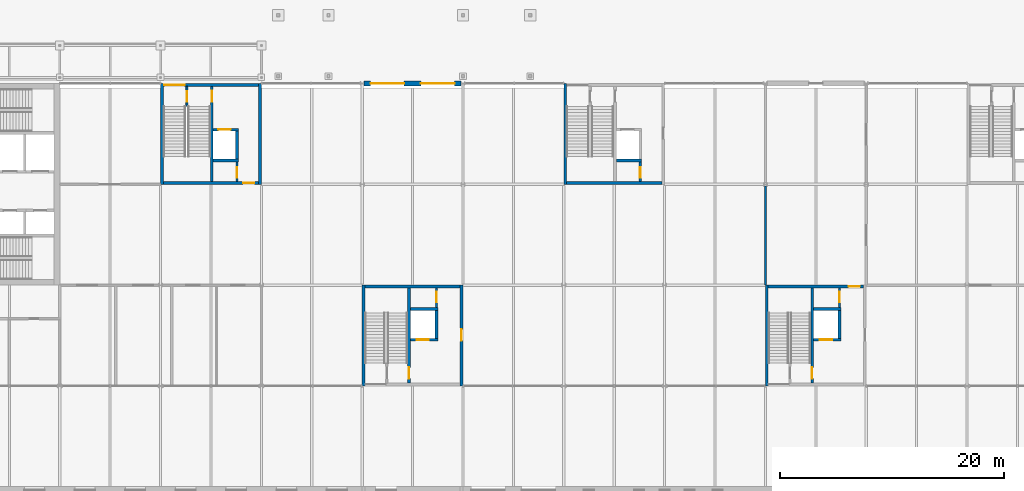
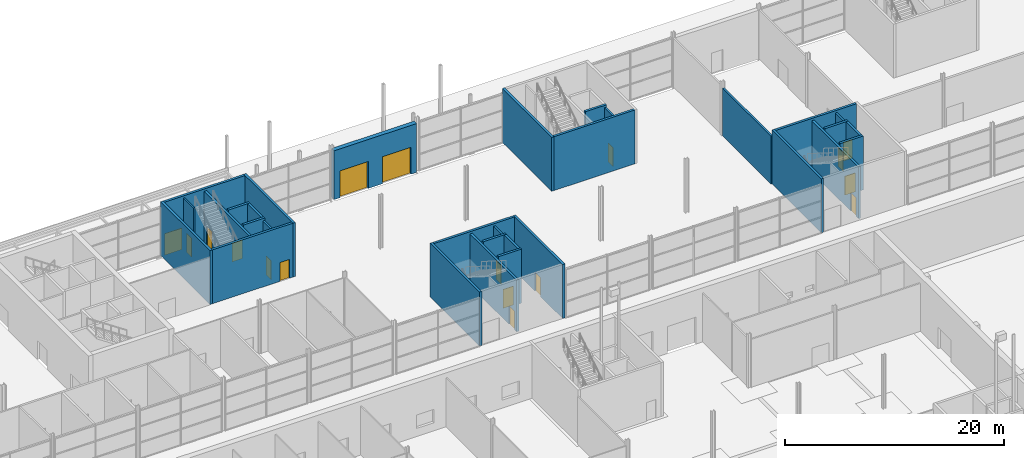
# One storey, part 72 of 97: 31 walls, 17 doors, 17 openings.
"""IFC4 building model written with IfcOpenShell, lengths in metres."""

from ifc_helpers import new_model, si_unit, direction, frame, frame_2d, origin, place, context, subcontext, project, spatial, rectangle, extrude, material, layer, layer_set, type_object, element, fill, save


model = new_model("IFC4")

# Units and contexts
model_context = context("Model", 3, precision=1e-05, world=origin(), true_north=direction((0.0, 1.0)))
body_context = subcontext(model_context, "Body", "Model", "MODEL_VIEW")
ifc_project = project(units=[si_unit("LENGTHUNIT", "METRE"), si_unit("AREAUNIT", "SQUARE_METRE"), si_unit("VOLUMEUNIT", "CUBIC_METRE"), si_unit("PLANEANGLEUNIT", "RADIAN"), si_unit("MASSUNIT", "GRAM", prefix="KILO")], contexts=[model_context])

# Site, building, storey
site_placement = place(None, origin())
site = spatial("IfcSite", under=ifc_project, at=site_placement, CompositionType="ELEMENT")
building_placement = place(site_placement, origin())
building = spatial("IfcBuilding", under=site, at=building_placement, Name="Corbel Yard City Hall", CompositionType="ELEMENT")
storey_placement = place(building_placement, origin())
storey = spatial("IfcBuildingStorey", under=building, at=storey_placement, Name="L00", CompositionType="ELEMENT", Elevation=0.0)

# Walls
ifc_material_1 = material(Name="Concrete N50 (50 MPa)", Category="concrete")
ifc_layer_1 = layer(ifc_material_1, 0.25)
ifc_layer_set_1 = layer_set([ifc_layer_1], Name="Concrete N50 (50 MPa)")
wall_type_1 = type_object("IfcWallType", Name="Core cell wall 250", PredefinedType="SHEAR", material=ifc_layer_set_1)
for number, where, z_axis, x_axis, name in (
    (1, (63.125, 108.0, 0.0), (0.0, 0.0, 1.0), (0.0, 1.0, 0.0), "Core PC-N1 west wall"),
    (2, (71.875, 108.0, 0.0), (0.0, 0.0, 1.0), (0.0, 1.0, 0.0), "Core PC-N1 east wall"),
):
    element("IfcWall", number, at=place(storey_placement, frame(where, z_axis=z_axis, x_axis=x_axis)), inside=storey, type_object=wall_type_1, Name=name, PredefinedType="SHEAR", context=body_context, shape_type="SweptSolid", body=[
        extrude(rectangle(XDim=9.0, YDim=0.25, at=frame_2d((4.5, 0.0))), origin(), (0.0, 0.0, 1.0), 6.0),
    ])

# Wall, opening, door
wall_1_placement = place(storey_placement, frame((63.25, 108.125, 0.0), z_axis=(0.0, 0.0, 1.0), x_axis=(1.0, 0.0, 0.0)))
wall_1 = element("IfcWall", 3, at=wall_1_placement, inside=storey, type_object=wall_type_1, Name="Core PC-N1 south wall", PredefinedType="SHEAR", context=body_context, shape_type="SweptSolid", body=[
    extrude(rectangle(XDim=8.5, YDim=0.25, at=frame_2d((4.25, 0.0))), origin(), (0.0, 0.0, 1.0), 6.0),
])
opening_1_placement = place(wall_1_placement, frame((7.125, 0.0, 0.0)))
opening_1 = element("IfcOpeningElement", 4, at=opening_1_placement, cuts=wall_1, Name="Opening L00-210", PredefinedType="OPENING", context=body_context, shape_type="SweptSolid", body=[
    extrude(rectangle(XDim=1.0, YDim=2.10009765625, at=frame_2d((0.5, 1.050048828125))), frame((0.0, 0.135009765625, 0.0), z_axis=(0.0, -1.0, 0.0), x_axis=(1.0, 0.0, 0.0)), (0.0, 0.0, 1.0), 0.27001953125),
])
ifc_material_2 = material(Name="Steel Grade G250", Category="steel")
door_type_1 = type_object("IfcDoorType", Name="FS1", OperationType="SINGLE_SWING_LEFT", PredefinedType="DOOR", material=ifc_material_2)
door_1_placement = place(opening_1_placement, origin())
door_1 = element("IfcDoor", 5, at=door_1_placement, inside=storey, type_object=door_type_1, Name="Door Lift Lobby", OperationType="SINGLE_SWING_RIGHT", OverallHeight=2.10009765625, OverallWidth=1.0, PredefinedType="DOOR", context=body_context, shape_type="SweptSolid", body=[
    extrude(rectangle(XDim=1.0, YDim=2.10009765625, at=frame_2d((0.5, 1.050048828125))), frame((0.0, 0.02490234375, 0.0), z_axis=(0.0, -1.0, 0.0), x_axis=(1.0, 0.0, 0.0)), (0.0, 0.0, 1.0), 0.050048828125),
])
fill(opening_1, door_1)

wall_2_placement = place(storey_placement, frame((63.25, 116.875, 0.0), z_axis=(0.0, 0.0, 1.0), x_axis=(1.0, 0.0, 0.0)))
wall_2 = element("IfcWall", 6, at=wall_2_placement, inside=storey, type_object=wall_type_1, Name="Core PC-N1 north wall", PredefinedType="SHEAR", context=body_context, shape_type="SweptSolid", body=[
    extrude(rectangle(XDim=8.5, YDim=0.25, at=frame_2d((4.25, 0.0))), origin(), (0.0, 0.0, 1.0), 6.0),
])
opening_2_placement = place(wall_2_placement, frame((0.10009765625, 0.0, 0.0)))
opening_2 = element("IfcOpeningElement", 7, at=opening_2_placement, cuts=wall_2, Name="Opening L00-045", PredefinedType="OPENING", context=body_context, shape_type="SweptSolid", body=[
    extrude(rectangle(XDim=1.800048828125, YDim=2.39990234375, at=frame_2d((0.89990234375, 1.199951171875))), frame((0.0, 0.135009765625, 0.0), z_axis=(0.0, -1.0, 0.0), x_axis=(1.0, 0.0, 0.0)), (0.0, 0.0, 1.0), 0.27001953125),
])
ifc_material_3 = material(Name="Steel Grade G250, insulated infill", Category="steel")
door_type_2 = type_object("IfcDoorType", Name="XD2", OperationType="DOUBLE_DOOR_SINGLE_SWING", PredefinedType="DOOR", material=ifc_material_3)
door_2_placement = place(opening_2_placement, origin())
door_2 = element("IfcDoor", 8, at=door_2_placement, inside=storey, type_object=door_type_2, Name="Stair exit door PC-N1", OperationType="DOUBLE_DOOR_SINGLE_SWING", OverallHeight=2.39990234375, OverallWidth=1.800048828125, PredefinedType="DOOR", context=body_context, shape_type="SweptSolid", body=[
    extrude(rectangle(XDim=1.800048828125, YDim=2.39990234375, at=frame_2d((0.89990234375, 1.199951171875))), frame((0.0, 0.02490234375, 0.0), z_axis=(0.0, -1.0, 0.0), x_axis=(1.0, 0.0, 0.0)), (0.0, 0.0, 1.0), 0.050048828125),
])
fill(opening_2, door_2)

# Walls
wall_3_placement = place(storey_placement, frame((99.125, 108.0, 0.0), z_axis=(0.0, 0.0, 1.0), x_axis=(0.0, 1.0, 0.0)))
element("IfcWall", 9, at=wall_3_placement, inside=storey, type_object=wall_type_1, Name="Core PC-N2 west wall", PredefinedType="SHEAR", context=body_context, shape_type="SweptSolid", body=[
    extrude(rectangle(XDim=9.0, YDim=0.25, at=frame_2d((4.5, 0.0))), origin(), (0.0, 0.0, 1.0), 6.0),
])
wall_4_placement = place(storey_placement, frame((99.25, 108.125, 0.0), z_axis=(0.0, 0.0, 1.0), x_axis=(1.0, 0.0, 0.0)))
element("IfcWall", 10, at=wall_4_placement, inside=storey, type_object=wall_type_1, Name="Core PC-N2 south wall", PredefinedType="SHEAR", context=body_context, shape_type="SweptSolid", body=[
    extrude(rectangle(XDim=8.5, YDim=0.25, at=frame_2d((4.25, 0.0))), origin(), (0.0, 0.0, 1.0), 6.0),
])
wall_5_placement = place(storey_placement, frame((81.125, 90.0, 0.0), z_axis=(0.0, 0.0, 1.0), x_axis=(0.0, 1.0, 0.0)))
element("IfcWall", 11, at=wall_5_placement, inside=storey, type_object=wall_type_1, Name="Core PC-N5 west wall", PredefinedType="SHEAR", context=body_context, shape_type="SweptSolid", body=[
    extrude(rectangle(XDim=9.0, YDim=0.25, at=frame_2d((4.5, 0.0))), origin(), (0.0, 0.0, 1.0), 6.0),
])

# Wall, opening, door
wall_6_placement = place(storey_placement, frame((89.875, 90.0, 0.0), z_axis=(0.0, 0.0, 1.0), x_axis=(0.0, 1.0, 0.0)))
wall_6 = element("IfcWall", 12, at=wall_6_placement, inside=storey, type_object=wall_type_1, Name="Core PC-N5 east wall", PredefinedType="SHEAR", context=body_context, shape_type="SweptSolid", body=[
    extrude(rectangle(XDim=9.0, YDim=0.25, at=frame_2d((4.5, 0.0))), origin(), (0.0, 0.0, 1.0), 6.0),
])
opening_3_placement = place(wall_6_placement, frame((4.050048828125, 0.0, 0.0)))
opening_3 = element("IfcOpeningElement", 13, at=opening_3_placement, cuts=wall_6, Name="Opening L00-214", PredefinedType="OPENING", context=body_context, shape_type="SweptSolid", body=[
    extrude(rectangle(XDim=1.0, YDim=2.10009765625, at=frame_2d((0.5, 1.050048828125))), frame((0.0, 0.135009765625, 0.0), z_axis=(0.0, -1.0, 0.0), x_axis=(1.0, 0.0, 0.0)), (0.0, 0.0, 1.0), 0.27001953125),
])
door_3_placement = place(opening_3_placement, origin())
door_3 = element("IfcDoor", 14, at=door_3_placement, inside=storey, type_object=door_type_1, Name="Door Lift Lobby", OperationType="SINGLE_SWING_RIGHT", OverallHeight=2.10009765625, OverallWidth=1.0, PredefinedType="DOOR", context=body_context, shape_type="SweptSolid", body=[
    extrude(rectangle(XDim=1.0, YDim=2.10009765625, at=frame_2d((0.5, 1.050048828125))), frame((0.0, 0.02490234375, 0.0), z_axis=(0.0, -1.0, 0.0), x_axis=(1.0, 0.0, 0.0)), (0.0, 0.0, 1.0), 0.050048828125),
])
fill(opening_3, door_3)

# Walls
wall_7_placement = place(storey_placement, frame((81.25, 98.875, 0.0), z_axis=(0.0, 0.0, 1.0), x_axis=(1.0, 0.0, 0.0)))
element("IfcWall", 15, at=wall_7_placement, inside=storey, type_object=wall_type_1, Name="Core PC-N5 north wall", PredefinedType="SHEAR", context=body_context, shape_type="SweptSolid", body=[
    extrude(rectangle(XDim=8.5, YDim=0.25, at=frame_2d((4.25, 0.0))), origin(), (0.0, 0.0, 1.0), 6.0),
])
wall_8_placement = place(storey_placement, frame((117.125, 90.0, 0.0), z_axis=(0.0, 0.0, 1.0), x_axis=(0.0, 1.0, 0.0)))
element("IfcWall", 16, at=wall_8_placement, inside=storey, type_object=wall_type_1, Name="Core PC-N6 west wall", PredefinedType="SHEAR", context=body_context, shape_type="SweptSolid", body=[
    extrude(rectangle(XDim=9.0, YDim=0.25, at=frame_2d((4.5, 0.0))), origin(), (0.0, 0.0, 1.0), 6.0),
])

# Wall, opening, door
wall_9_placement = place(storey_placement, frame((117.25, 98.875, 0.0), z_axis=(0.0, 0.0, 1.0), x_axis=(1.0, 0.0, 0.0)))
wall_9 = element("IfcWall", 17, at=wall_9_placement, inside=storey, type_object=wall_type_1, Name="Core PC-N6 north wall", PredefinedType="SHEAR", context=body_context, shape_type="SweptSolid", body=[
    extrude(rectangle(XDim=8.5, YDim=0.25, at=frame_2d((4.25, 0.0))), origin(), (0.0, 0.0, 1.0), 6.0),
])
opening_4_placement = place(wall_9_placement, frame((7.175048828125, 0.0, 0.0)))
opening_4 = element("IfcOpeningElement", 18, at=opening_4_placement, cuts=wall_9, Name="Opening L00-215", PredefinedType="OPENING", context=body_context, shape_type="SweptSolid", body=[
    extrude(rectangle(XDim=1.0, YDim=2.10009765625, at=frame_2d((0.5, 1.050048828125))), frame((0.0, 0.135009765625, 0.0), z_axis=(0.0, -1.0, 0.0), x_axis=(1.0, 0.0, 0.0)), (0.0, 0.0, 1.0), 0.27001953125),
])
door_4_placement = place(opening_4_placement, frame((1.0, 0.0, 0.0), z_axis=(0.0, 0.0, 1.0), x_axis=(-1.0, 0.0, 0.0)))
door_4 = element("IfcDoor", 19, at=door_4_placement, inside=storey, type_object=door_type_1, Name="Door Lift Lobby", OperationType="SINGLE_SWING_LEFT", OverallHeight=2.10009765625, OverallWidth=1.0, PredefinedType="DOOR", context=body_context, shape_type="SweptSolid", body=[
    extrude(rectangle(XDim=1.0, YDim=2.10009765625, at=frame_2d((0.5, 1.050048828125))), frame((0.0, 0.02490234375, 0.0), z_axis=(0.0, -1.0, 0.0), x_axis=(1.0, 0.0, 0.0)), (0.0, 0.0, 1.0), 0.050048828125),
])
fill(opening_4, door_4)

# Wall, openings, doors
ifc_material_4 = material(Name="Sandstone cladding", Category="masonry")
ifc_layer_2 = layer(ifc_material_4, 0.06005859375)
ifc_material_5 = material(Name="Air cavity", Category="air")
ifc_layer_3 = layer(ifc_material_5, 0.0400390625)
ifc_material_6 = material(Name="Concrete N40 (40 MPa)", Category="concrete")
ifc_layer_4 = layer(ifc_material_6, 0.25)
ifc_material_7 = material(Name="Mineral wool", Category="insulation")
ifc_layer_5 = layer(ifc_material_7, 0.10009765625)
ifc_layer_set_2 = layer_set([ifc_layer_2, ifc_layer_3, ifc_layer_4, ifc_layer_5], Name="Concrete N40 (40 MPa)")
wall_type_2 = type_object("IfcWallType", Name="EW2", PredefinedType="SOLIDWALL", material=ifc_layer_set_2)
wall_10_placement = place(storey_placement, frame((81.157470703125, 117.0, 0.0), z_axis=(0.0, 0.0, 1.0), x_axis=(1.0, 0.0, 0.0)))
wall_10 = element("IfcWall", 20, at=wall_10_placement, inside=storey, type_object=wall_type_2, Name="Entrance pier wall", PredefinedType="SOLIDWALL", context=body_context, shape_type="SweptSolid", body=[
    extrude(rectangle(XDim=8.68505859375, YDim=0.449951171875, at=frame_2d((4.342529296875, 0.0))), origin(), (0.0, 0.0, 1.0), 5.444091796875),
])
opening_5_placement = place(wall_10_placement, frame((0.592529296875, 0.0, 0.0)))
opening_5 = element("IfcOpeningElement", 21, at=opening_5_placement, cuts=wall_10, Name="Opening L00-021", PredefinedType="OPENING", context=body_context, shape_type="SweptSolid", body=[
    extrude(rectangle(XDim=3.0, YDim=3.0, at=frame_2d((1.5, 1.5))), frame((0.0, 0.23486328125, 0.0), z_axis=(0.0, -1.0, 0.0), x_axis=(1.0, 0.0, 0.0)), (0.0, 0.0, 1.0), 0.469970703125),
])
opening_6_placement = place(wall_10_placement, frame((5.092529296875, 0.0, 0.0)))
opening_6 = element("IfcOpeningElement", 22, at=opening_6_placement, cuts=wall_10, Name="Opening L00-022", PredefinedType="OPENING", context=body_context, shape_type="SweptSolid", body=[
    extrude(rectangle(XDim=3.0, YDim=3.0, at=frame_2d((1.5, 1.5))), frame((0.0, 0.23486328125, 0.0), z_axis=(0.0, -1.0, 0.0), x_axis=(1.0, 0.0, 0.0)), (0.0, 0.0, 1.0), 0.469970703125),
])
ifc_material_8 = material(Name="Aluminium frame, toughened laminated glass", Category="aluminium")
door_type_3 = type_object("IfcDoorType", Name="XD7", OperationType="DOUBLE_DOOR_SINGLE_SWING", PredefinedType="DOOR", material=ifc_material_8)
door_5_placement = place(opening_5_placement, origin())
door_5 = element("IfcDoor", 23, at=door_5_placement, inside=storey, type_object=door_type_3, Name="Civic Reception entrance door 1", OperationType="DOUBLE_DOOR_SINGLE_SWING", OverallHeight=3.0, OverallWidth=3.0, PredefinedType="DOOR", context=body_context, shape_type="SweptSolid", body=[
    extrude(rectangle(XDim=3.0, YDim=3.0, at=frame_2d((1.5, 1.5))), frame((0.0, 0.02490234375, 0.0), z_axis=(0.0, -1.0, 0.0), x_axis=(1.0, 0.0, 0.0)), (0.0, 0.0, 1.0), 0.050048828125),
])
fill(opening_5, door_5)
door_6_placement = place(opening_6_placement, origin())
door_6 = element("IfcDoor", 24, at=door_6_placement, inside=storey, type_object=door_type_3, Name="Civic Reception entrance door 2", OperationType="DOUBLE_DOOR_SINGLE_SWING", OverallHeight=3.0, OverallWidth=3.0, PredefinedType="DOOR", context=body_context, shape_type="SweptSolid", body=[
    extrude(rectangle(XDim=3.0, YDim=3.0, at=frame_2d((1.5, 1.5))), frame((0.0, 0.02490234375, 0.0), z_axis=(0.0, -1.0, 0.0), x_axis=(1.0, 0.0, 0.0)), (0.0, 0.0, 1.0), 0.050048828125),
])
fill(opening_6, door_6)

# Wall, opening, door
ifc_layer_6 = layer(ifc_material_6, 0.25)
ifc_layer_set_3 = layer_set([ifc_layer_6], Name="Concrete N40 (40 MPa)")
wall_type_3 = type_object("IfcWallType", Name="IW2", PredefinedType="SOLIDWALL", material=ifc_layer_set_3)
wall_11_placement = place(storey_placement, frame((67.574951171875, 116.75, 0.0), z_axis=(0.0, 0.0, 1.0), x_axis=(0.0, -1.0, 0.0)))
wall_11 = element("IfcWall", 25, at=wall_11_placement, inside=storey, type_object=wall_type_3, Name="Stair enclosure wall", PredefinedType="SOLIDWALL", context=body_context, shape_type="SweptSolid", body=[
    extrude(rectangle(XDim=8.5, YDim=0.25, at=frame_2d((4.25, 0.0))), origin(), (0.0, 0.0, 1.0), 5.75),
])
opening_7_placement = place(wall_11_placement, frame((0.39990234375, 0.0, 0.0)))
opening_7 = element("IfcOpeningElement", 26, at=opening_7_placement, cuts=wall_11, Name="Opening L00-192", PredefinedType="OPENING", context=body_context, shape_type="SweptSolid", body=[
    extrude(rectangle(XDim=1.0, YDim=2.10009765625, at=frame_2d((0.5, 1.050048828125))), frame((0.0, 0.135009765625, 0.0), z_axis=(0.0, -1.0, 0.0), x_axis=(1.0, 0.0, 0.0)), (0.0, 0.0, 1.0), 0.27001953125),
])
door_7_placement = place(opening_7_placement, frame((1.0, 0.0, 0.0), z_axis=(0.0, 0.0, 1.0), x_axis=(-1.0, 0.0, 0.0)))
door_7 = element("IfcDoor", 27, at=door_7_placement, inside=storey, type_object=door_type_1, Name="Door Exit Stair 16", OperationType="SINGLE_SWING_RIGHT", OverallHeight=2.10009765625, OverallWidth=1.0, PredefinedType="DOOR", context=body_context, shape_type="SweptSolid", body=[
    extrude(rectangle(XDim=1.0, YDim=2.10009765625, at=frame_2d((0.5, 1.050048828125))), frame((0.0, 0.02490234375, 0.0), z_axis=(0.0, -1.0, 0.0), x_axis=(1.0, 0.0, 0.0)), (0.0, 0.0, 1.0), 0.050048828125),
])
fill(opening_7, door_7)

# Wall
wall_12_placement = place(storey_placement, frame((67.699951171875, 110.125, 0.0), z_axis=(0.0, 0.0, 1.0), x_axis=(1.0, 0.0, 0.0)))
element("IfcWall", 28, at=wall_12_placement, inside=storey, type_object=wall_type_3, Name="Lift LP16 shaft wall", PredefinedType="SOLIDWALL", context=body_context, shape_type="SweptSolid", body=[
    extrude(rectangle(XDim=2.25, YDim=0.25, at=frame_2d((1.125, 0.0))), origin(), (0.0, 0.0, 1.0), 6.0),
])

# Wall, opening, door
wall_13_placement = place(storey_placement, frame((67.699951171875, 112.875, 0.0), z_axis=(0.0, 0.0, 1.0), x_axis=(1.0, 0.0, 0.0)))
wall_13 = element("IfcWall", 29, at=wall_13_placement, inside=storey, type_object=wall_type_3, Name="Lift LP16 shaft wall", PredefinedType="SOLIDWALL", context=body_context, shape_type="SweptSolid", body=[
    extrude(rectangle(XDim=2.25, YDim=0.25, at=frame_2d((1.125, 0.0))), origin(), (0.0, 0.0, 1.0), 6.0),
])
opening_8_placement = place(wall_13_placement, frame((0.449951171875, 0.0, 0.0)))
opening_8 = element("IfcOpeningElement", 30, at=opening_8_placement, cuts=wall_13, Name="Opening L00-186", PredefinedType="OPENING", context=body_context, shape_type="SweptSolid", body=[
    extrude(rectangle(XDim=1.10009765625, YDim=2.10009765625, at=frame_2d((0.550048828125, 1.050048828125))), frame((0.0, 0.135009765625, 0.0), z_axis=(0.0, -1.0, 0.0), x_axis=(1.0, 0.0, 0.0)), (0.0, 0.0, 1.0), 0.27001953125),
])
ifc_material_9 = material(Name="Stainless steel Grade 316", Category="steel")
door_type_4 = type_object("IfcDoorType", Name="LD1", OperationType="DOUBLE_DOOR_SLIDING", PredefinedType="DOOR", material=ifc_material_9)
door_8_placement = place(opening_8_placement, origin())
door_8 = element("IfcDoor", 31, at=door_8_placement, inside=storey, type_object=door_type_4, Name="Lift LP16 landing door", OperationType="DOUBLE_DOOR_SLIDING", OverallHeight=2.10009765625, OverallWidth=1.10009765625, PredefinedType="DOOR", context=body_context, shape_type="SweptSolid", body=[
    extrude(rectangle(XDim=1.10009765625, YDim=2.10009765625, at=frame_2d((0.550048828125, 1.050048828125))), frame((0.0, 0.02490234375, 0.0), z_axis=(0.0, -1.0, 0.0), x_axis=(1.0, 0.0, 0.0)), (0.0, 0.0, 1.0), 0.050048828125),
])
fill(opening_8, door_8)

# Walls
wall_14_placement = place(storey_placement, frame((69.824951171875, 110.25, 0.0), z_axis=(0.0, 0.0, 1.0), x_axis=(0.0, 1.0, 0.0)))
element("IfcWall", 32, at=wall_14_placement, inside=storey, type_object=wall_type_3, Name="Lift LP16 shaft wall", PredefinedType="SOLIDWALL", context=body_context, shape_type="SweptSolid", body=[
    extrude(rectangle(XDim=2.5, YDim=0.25, at=frame_2d((1.25, 0.0))), origin(), (0.0, 0.0, 1.0), 6.0),
])
wall_15_placement = place(storey_placement, frame((103.699951171875, 110.125, 0.0), z_axis=(0.0, 0.0, 1.0), x_axis=(1.0, 0.0, 0.0)))
element("IfcWall", 33, at=wall_15_placement, inside=storey, type_object=wall_type_3, Name="Lift LP17 shaft wall", PredefinedType="SOLIDWALL", context=body_context, shape_type="SweptSolid", body=[
    extrude(rectangle(XDim=2.25, YDim=0.25, at=frame_2d((1.125, 0.0))), origin(), (0.0, 0.0, 1.0), 6.0),
])

# Wall, opening, door
wall_16_placement = place(storey_placement, frame((85.175048828125, 90.25, 0.0), z_axis=(0.0, 0.0, 1.0), x_axis=(0.0, 1.0, 0.0)))
wall_16 = element("IfcWall", 34, at=wall_16_placement, inside=storey, type_object=wall_type_3, Name="Stair enclosure wall", PredefinedType="SOLIDWALL", context=body_context, shape_type="SweptSolid", body=[
    extrude(rectangle(XDim=8.5, YDim=0.25, at=frame_2d((4.25, 0.0))), origin(), (0.0, 0.0, 1.0), 5.75),
])
opening_9_placement = place(wall_16_placement, frame((0.39990234375, 0.0, 0.0)))
opening_9 = element("IfcOpeningElement", 35, at=opening_9_placement, cuts=wall_16, Name="Opening L00-204", PredefinedType="OPENING", context=body_context, shape_type="SweptSolid", body=[
    extrude(rectangle(XDim=1.0, YDim=2.10009765625, at=frame_2d((0.5, 1.050048828125))), frame((0.0, 0.135009765625, 0.0), z_axis=(0.0, -1.0, 0.0), x_axis=(1.0, 0.0, 0.0)), (0.0, 0.0, 1.0), 0.27001953125),
])
door_9_placement = place(opening_9_placement, origin())
door_9 = element("IfcDoor", 36, at=door_9_placement, inside=storey, type_object=door_type_1, Name="Door Exit Stair 20", OperationType="SINGLE_SWING_LEFT", OverallHeight=2.10009765625, OverallWidth=1.0, PredefinedType="DOOR", context=body_context, shape_type="SweptSolid", body=[
    extrude(rectangle(XDim=1.0, YDim=2.10009765625, at=frame_2d((0.5, 1.050048828125))), frame((0.0, 0.02490234375, 0.0), z_axis=(0.0, -1.0, 0.0), x_axis=(1.0, 0.0, 0.0)), (0.0, 0.0, 1.0), 0.050048828125),
])
fill(opening_9, door_9)

wall_17_placement = place(storey_placement, frame((85.300048828125, 94.125, 0.0), z_axis=(0.0, 0.0, 1.0), x_axis=(1.0, 0.0, 0.0)))
wall_17 = element("IfcWall", 37, at=wall_17_placement, inside=storey, type_object=wall_type_3, Name="Lift LP20 shaft wall", PredefinedType="SOLIDWALL", context=body_context, shape_type="SweptSolid", body=[
    extrude(rectangle(XDim=2.449951171875, YDim=0.25, at=frame_2d((1.22509765625, 0.0))), origin(), (0.0, 0.0, 1.0), 6.0),
])
opening_10_placement = place(wall_17_placement, frame((0.550048828125, 0.0, 0.0)))
opening_10 = element("IfcOpeningElement", 38, at=opening_10_placement, cuts=wall_17, Name="Opening L00-190", PredefinedType="OPENING", context=body_context, shape_type="SweptSolid", body=[
    extrude(rectangle(XDim=1.10009765625, YDim=2.10009765625, at=frame_2d((0.550048828125, 1.050048828125))), frame((0.0, 0.135009765625, 0.0), z_axis=(0.0, -1.0, 0.0), x_axis=(1.0, 0.0, 0.0)), (0.0, 0.0, 1.0), 0.27001953125),
])
door_10_placement = place(opening_10_placement, origin())
door_10 = element("IfcDoor", 39, at=door_10_placement, inside=storey, type_object=door_type_4, Name="Lift LP20 landing door", OperationType="DOUBLE_DOOR_SLIDING", OverallHeight=2.10009765625, OverallWidth=1.10009765625, PredefinedType="DOOR", context=body_context, shape_type="SweptSolid", body=[
    extrude(rectangle(XDim=1.10009765625, YDim=2.10009765625, at=frame_2d((0.550048828125, 1.050048828125))), frame((0.0, 0.02490234375, 0.0), z_axis=(0.0, -1.0, 0.0), x_axis=(1.0, 0.0, 0.0)), (0.0, 0.0, 1.0), 0.050048828125),
])
fill(opening_10, door_10)

# Walls
wall_18_placement = place(storey_placement, frame((85.300048828125, 96.875, 0.0), z_axis=(0.0, 0.0, 1.0), x_axis=(1.0, 0.0, 0.0)))
element("IfcWall", 40, at=wall_18_placement, inside=storey, type_object=wall_type_3, Name="Lift LP20 shaft wall", PredefinedType="SOLIDWALL", context=body_context, shape_type="SweptSolid", body=[
    extrude(rectangle(XDim=2.449951171875, YDim=0.25, at=frame_2d((1.22509765625, 0.0))), origin(), (0.0, 0.0, 1.0), 6.0),
])
wall_19_placement = place(storey_placement, frame((87.625, 94.25, 0.0), z_axis=(0.0, 0.0, 1.0), x_axis=(0.0, 1.0, 0.0)))
element("IfcWall", 41, at=wall_19_placement, inside=storey, type_object=wall_type_3, Name="Lift LP20 shaft wall", PredefinedType="SOLIDWALL", context=body_context, shape_type="SweptSolid", body=[
    extrude(rectangle(XDim=2.5, YDim=0.25, at=frame_2d((1.25, 0.0))), origin(), (0.0, 0.0, 1.0), 6.0),
])

# Wall, opening, door
wall_20_placement = place(storey_placement, frame((121.175048828125, 90.25, 0.0), z_axis=(0.0, 0.0, 1.0), x_axis=(0.0, 1.0, 0.0)))
wall_20 = element("IfcWall", 42, at=wall_20_placement, inside=storey, type_object=wall_type_3, Name="Stair enclosure wall", PredefinedType="SOLIDWALL", context=body_context, shape_type="SweptSolid", body=[
    extrude(rectangle(XDim=8.5, YDim=0.25, at=frame_2d((4.25, 0.0))), origin(), (0.0, 0.0, 1.0), 5.75),
])
opening_11_placement = place(wall_20_placement, frame((0.39990234375, 0.0, 0.0)))
opening_11 = element("IfcOpeningElement", 43, at=opening_11_placement, cuts=wall_20, Name="Opening L00-207", PredefinedType="OPENING", context=body_context, shape_type="SweptSolid", body=[
    extrude(rectangle(XDim=1.0, YDim=2.10009765625, at=frame_2d((0.5, 1.050048828125))), frame((0.0, 0.135009765625, 0.0), z_axis=(0.0, -1.0, 0.0), x_axis=(1.0, 0.0, 0.0)), (0.0, 0.0, 1.0), 0.27001953125),
])
door_11_placement = place(opening_11_placement, origin())
door_11 = element("IfcDoor", 44, at=door_11_placement, inside=storey, type_object=door_type_1, Name="Door Exit Stair 21", OperationType="SINGLE_SWING_LEFT", OverallHeight=2.10009765625, OverallWidth=1.0, PredefinedType="DOOR", context=body_context, shape_type="SweptSolid", body=[
    extrude(rectangle(XDim=1.0, YDim=2.10009765625, at=frame_2d((0.5, 1.050048828125))), frame((0.0, 0.02490234375, 0.0), z_axis=(0.0, -1.0, 0.0), x_axis=(1.0, 0.0, 0.0)), (0.0, 0.0, 1.0), 0.050048828125),
])
fill(opening_11, door_11)

wall_21_placement = place(storey_placement, frame((121.300048828125, 94.125, 0.0), z_axis=(0.0, 0.0, 1.0), x_axis=(1.0, 0.0, 0.0)))
wall_21 = element("IfcWall", 45, at=wall_21_placement, inside=storey, type_object=wall_type_3, Name="Lift LP21 shaft wall", PredefinedType="SOLIDWALL", context=body_context, shape_type="SweptSolid", body=[
    extrude(rectangle(XDim=2.449951171875, YDim=0.25, at=frame_2d((1.22509765625, 0.0))), origin(), (0.0, 0.0, 1.0), 6.0),
])
opening_12_placement = place(wall_21_placement, frame((0.550048828125, 0.0, 0.0)))
opening_12 = element("IfcOpeningElement", 46, at=opening_12_placement, cuts=wall_21, Name="Opening L00-191", PredefinedType="OPENING", context=body_context, shape_type="SweptSolid", body=[
    extrude(rectangle(XDim=1.10009765625, YDim=2.10009765625, at=frame_2d((0.550048828125, 1.050048828125))), frame((0.0, 0.135009765625, 0.0), z_axis=(0.0, -1.0, 0.0), x_axis=(1.0, 0.0, 0.0)), (0.0, 0.0, 1.0), 0.27001953125),
])
door_12_placement = place(opening_12_placement, origin())
door_12 = element("IfcDoor", 47, at=door_12_placement, inside=storey, type_object=door_type_4, Name="Lift LP21 landing door", OperationType="DOUBLE_DOOR_SLIDING", OverallHeight=2.10009765625, OverallWidth=1.10009765625, PredefinedType="DOOR", context=body_context, shape_type="SweptSolid", body=[
    extrude(rectangle(XDim=1.10009765625, YDim=2.10009765625, at=frame_2d((0.550048828125, 1.050048828125))), frame((0.0, 0.02490234375, 0.0), z_axis=(0.0, -1.0, 0.0), x_axis=(1.0, 0.0, 0.0)), (0.0, 0.0, 1.0), 0.050048828125),
])
fill(opening_12, door_12)

# Walls
wall_22_placement = place(storey_placement, frame((121.300048828125, 96.875, 0.0), z_axis=(0.0, 0.0, 1.0), x_axis=(1.0, 0.0, 0.0)))
element("IfcWall", 48, at=wall_22_placement, inside=storey, type_object=wall_type_3, Name="Lift LP21 shaft wall", PredefinedType="SOLIDWALL", context=body_context, shape_type="SweptSolid", body=[
    extrude(rectangle(XDim=2.449951171875, YDim=0.25, at=frame_2d((1.22509765625, 0.0))), origin(), (0.0, 0.0, 1.0), 6.0),
])
wall_23_placement = place(storey_placement, frame((123.625, 94.25, 0.0), z_axis=(0.0, 0.0, 1.0), x_axis=(0.0, 1.0, 0.0)))
element("IfcWall", 49, at=wall_23_placement, inside=storey, type_object=wall_type_3, Name="Lift LP21 shaft wall", PredefinedType="SOLIDWALL", context=body_context, shape_type="SweptSolid", body=[
    extrude(rectangle(XDim=2.5, YDim=0.25, at=frame_2d((1.25, 0.0))), origin(), (0.0, 0.0, 1.0), 6.0),
])
ifc_material_10 = material(Name="Gypsum plasterboard", Category="gypsum")
ifc_layer_7 = layer(ifc_material_10, 0.031982421875)
ifc_material_11 = material(Name="Steel Grade G550 (550 MPa yield)", Category="steel")
ifc_layer_8 = layer(ifc_material_11, 0.135986328125)
ifc_layer_9 = layer(ifc_material_10, 0.031982421875)
ifc_layer_set_4 = layer_set([ifc_layer_7, ifc_layer_8, ifc_layer_9], Name="Steel Grade G550 (550 MPa yield)")
wall_type_4 = type_object("IfcWallType", Name="PT2", PredefinedType="PARTITIONING", material=ifc_layer_set_4)
wall_24_placement = place(storey_placement, frame((117.0, 99.0, 0.0), z_axis=(0.0, 0.0, 1.0), x_axis=(0.0, 1.0, 0.0)))
element("IfcWall", 50, at=wall_24_placement, inside=storey, type_object=wall_type_4, Name="Acoustic wall", PredefinedType="PARTITIONING", context=body_context, shape_type="SweptSolid", body=[
    extrude(rectangle(XDim=8.83642578125, YDim=0.199951171875, at=frame_2d((4.418212890625, 0.0))), origin(), (0.0, 0.0, 1.0), 5.322021484375),
])

# Wall, opening, door
ifc_layer_10 = layer(ifc_material_10, 0.031982421875)
ifc_layer_11 = layer(ifc_material_11, 0.095947265625)
ifc_layer_12 = layer(ifc_material_10, 0.031982421875)
ifc_layer_set_5 = layer_set([ifc_layer_10, ifc_layer_11, ifc_layer_12], Name="Steel Grade G550 (550 MPa yield)")
wall_type_5 = type_object("IfcWallType", Name="PT3", PredefinedType="PARTITIONING", material=ifc_layer_set_5)
wall_25_placement = place(storey_placement, frame((65.35009765625, 116.75, 0.0), z_axis=(0.0, 0.0, 1.0), x_axis=(0.0, -1.0, 0.0)))
wall_25 = element("IfcWall", 51, at=wall_25_placement, inside=storey, type_object=wall_type_5, Name="Stair screen wall", PredefinedType="PARTITIONING", context=body_context, shape_type="SweptSolid", body=[
    extrude(rectangle(XDim=1.800048828125, YDim=0.159912109375, at=frame_2d((0.89990234375, 0.0))), origin(), (0.0, 0.0, 1.0), 5.75),
])
opening_13_placement = place(wall_25_placement, frame((0.43994140625, 0.0, 0.0)))
opening_13 = element("IfcOpeningElement", 52, at=opening_13_placement, cuts=wall_25, Name="Opening L00-194", PredefinedType="OPENING", context=body_context, shape_type="SweptSolid", body=[
    extrude(rectangle(XDim=0.919921875, YDim=2.10009765625, at=frame_2d((0.4599609375, 1.050048828125))), frame((0.0, 0.08984375, 0.0), z_axis=(0.0, -1.0, 0.0), x_axis=(1.0, 0.0, 0.0)), (0.0, 0.0, 1.0), 0.179931640625),
])
door_type_5 = type_object("IfcDoorType", Name="FD5", OperationType="SINGLE_SWING_RIGHT", PredefinedType="DOOR", material=ifc_material_2)
door_13_placement = place(opening_13_placement, origin())
door_13 = element("IfcDoor", 53, at=door_13_placement, inside=storey, type_object=door_type_5, Name="Door stair screen", OperationType="SINGLE_SWING_LEFT", OverallHeight=2.10009765625, OverallWidth=0.919921875, PredefinedType="DOOR", context=body_context, shape_type="SweptSolid", body=[
    extrude(rectangle(XDim=0.919921875, YDim=2.10009765625, at=frame_2d((0.4599609375, 1.050048828125))), frame((0.0, 0.02490234375, 0.0), z_axis=(0.0, -1.0, 0.0), x_axis=(1.0, 0.0, 0.0)), (0.0, 0.0, 1.0), 0.050048828125),
])
fill(opening_13, door_13)

ifc_material_12 = material(Name="Concrete block", Category="concrete")
ifc_layer_13 = layer(ifc_material_12, 0.18994140625)
ifc_layer_set_6 = layer_set([ifc_layer_13], Name="Concrete block")
wall_type_6 = type_object("IfcWallType", Name="PT4", PredefinedType="PARTITIONING", material=ifc_layer_set_6)
wall_26_placement = place(storey_placement, frame((69.824951171875, 108.25, 0.0), z_axis=(0.0, 0.0, 1.0), x_axis=(0.0, 1.0, 0.0)))
wall_26 = element("IfcWall", 54, at=wall_26_placement, inside=storey, type_object=wall_type_6, Name="Fire-resisting block wall", PredefinedType="PARTITIONING", context=body_context, shape_type="SweptSolid", body=[
    extrude(rectangle(XDim=1.75, YDim=0.18994140625, at=frame_2d((0.875, 0.0))), origin(), (0.0, 0.0, 1.0), 5.75),
])
opening_14_placement = place(wall_26_placement, frame((0.3525390625, 0.0, 0.0)))
opening_14 = element("IfcOpeningElement", 55, at=opening_14_placement, cuts=wall_26, Name="Opening L00-193", PredefinedType="OPENING", context=body_context, shape_type="SweptSolid", body=[
    extrude(rectangle(XDim=0.919921875, YDim=2.10009765625, at=frame_2d((0.4599609375, 1.050048828125))), frame((0.0, 0.10498046875, 0.0), z_axis=(0.0, -1.0, 0.0), x_axis=(1.0, 0.0, 0.0)), (0.0, 0.0, 1.0), 0.2099609375),
])
door_type_6 = type_object("IfcDoorType", Name="FS5", OperationType="SINGLE_SWING_RIGHT", PredefinedType="DOOR", material=ifc_material_2)
door_14_placement = place(opening_14_placement, origin())
door_14 = element("IfcDoor", 56, at=door_14_placement, inside=storey, type_object=door_type_6, Name="Door Service Riser", OperationType="SINGLE_SWING_LEFT", OverallHeight=2.10009765625, OverallWidth=0.919921875, PredefinedType="DOOR", context=body_context, shape_type="SweptSolid", body=[
    extrude(rectangle(XDim=0.919921875, YDim=2.10009765625, at=frame_2d((0.4599609375, 1.050048828125))), frame((0.0, 0.02490234375, 0.0), z_axis=(0.0, -1.0, 0.0), x_axis=(1.0, 0.0, 0.0)), (0.0, 0.0, 1.0), 0.050048828125),
])
fill(opening_14, door_14)

wall_27_placement = place(storey_placement, frame((87.625, 97.0, 0.0), z_axis=(0.0, 0.0, 1.0), x_axis=(0.0, 1.0, 0.0)))
wall_27 = element("IfcWall", 57, at=wall_27_placement, inside=storey, type_object=wall_type_6, Name="Fire-resisting block wall", PredefinedType="PARTITIONING", context=body_context, shape_type="SweptSolid", body=[
    extrude(rectangle(XDim=1.75, YDim=0.18994140625, at=frame_2d((0.875, 0.0))), origin(), (0.0, 0.0, 1.0), 5.75),
])
opening_15_placement = place(wall_27_placement, frame((0.4775390625, 0.0, 0.0)))
opening_15 = element("IfcOpeningElement", 58, at=opening_15_placement, cuts=wall_27, Name="Opening L00-205", PredefinedType="OPENING", context=body_context, shape_type="SweptSolid", body=[
    extrude(rectangle(XDim=0.919921875, YDim=2.10009765625, at=frame_2d((0.4599609375, 1.050048828125))), frame((0.0, 0.10498046875, 0.0), z_axis=(0.0, -1.0, 0.0), x_axis=(1.0, 0.0, 0.0)), (0.0, 0.0, 1.0), 0.2099609375),
])
door_15_placement = place(opening_15_placement, origin())
door_15 = element("IfcDoor", 59, at=door_15_placement, inside=storey, type_object=door_type_6, Name="Door Service Riser", OperationType="SINGLE_SWING_RIGHT", OverallHeight=2.10009765625, OverallWidth=0.919921875, PredefinedType="DOOR", context=body_context, shape_type="SweptSolid", body=[
    extrude(rectangle(XDim=0.919921875, YDim=2.10009765625, at=frame_2d((0.4599609375, 1.050048828125))), frame((0.0, 0.02490234375, 0.0), z_axis=(0.0, -1.0, 0.0), x_axis=(1.0, 0.0, 0.0)), (0.0, 0.0, 1.0), 0.050048828125),
])
fill(opening_15, door_15)

wall_28_placement = place(storey_placement, frame((105.824951171875, 108.25, 0.0), z_axis=(0.0, 0.0, 1.0), x_axis=(0.0, 1.0, 0.0)))
wall_28 = element("IfcWall", 60, at=wall_28_placement, inside=storey, type_object=wall_type_6, Name="Fire-resisting block wall", PredefinedType="PARTITIONING", context=body_context, shape_type="SweptSolid", body=[
    extrude(rectangle(XDim=1.75, YDim=0.18994140625, at=frame_2d((0.875, 0.0))), origin(), (0.0, 0.0, 1.0), 5.75),
])
opening_16_placement = place(wall_28_placement, frame((0.3525390625, 0.0, 0.0)))
opening_16 = element("IfcOpeningElement", 61, at=opening_16_placement, cuts=wall_28, Name="Opening L00-196", PredefinedType="OPENING", context=body_context, shape_type="SweptSolid", body=[
    extrude(rectangle(XDim=0.919921875, YDim=2.10009765625, at=frame_2d((0.4599609375, 1.050048828125))), frame((0.0, 0.10498046875, 0.0), z_axis=(0.0, -1.0, 0.0), x_axis=(1.0, 0.0, 0.0)), (0.0, 0.0, 1.0), 0.2099609375),
])
door_16_placement = place(opening_16_placement, origin())
door_16 = element("IfcDoor", 62, at=door_16_placement, inside=storey, type_object=door_type_6, Name="Door Service Riser", OperationType="SINGLE_SWING_LEFT", OverallHeight=2.10009765625, OverallWidth=0.919921875, PredefinedType="DOOR", context=body_context, shape_type="SweptSolid", body=[
    extrude(rectangle(XDim=0.919921875, YDim=2.10009765625, at=frame_2d((0.4599609375, 1.050048828125))), frame((0.0, 0.02490234375, 0.0), z_axis=(0.0, -1.0, 0.0), x_axis=(1.0, 0.0, 0.0)), (0.0, 0.0, 1.0), 0.050048828125),
])
fill(opening_16, door_16)

wall_29_placement = place(storey_placement, frame((123.625, 97.0, 0.0), z_axis=(0.0, 0.0, 1.0), x_axis=(0.0, 1.0, 0.0)))
wall_29 = element("IfcWall", 63, at=wall_29_placement, inside=storey, type_object=wall_type_6, Name="Fire-resisting block wall", PredefinedType="PARTITIONING", context=body_context, shape_type="SweptSolid", body=[
    extrude(rectangle(XDim=1.75, YDim=0.18994140625, at=frame_2d((0.875, 0.0))), origin(), (0.0, 0.0, 1.0), 5.75),
])
opening_17_placement = place(wall_29_placement, frame((0.4775390625, 0.0, 0.0)))
opening_17 = element("IfcOpeningElement", 64, at=opening_17_placement, cuts=wall_29, Name="Opening L00-208", PredefinedType="OPENING", context=body_context, shape_type="SweptSolid", body=[
    extrude(rectangle(XDim=0.919921875, YDim=2.10009765625, at=frame_2d((0.4599609375, 1.050048828125))), frame((0.0, 0.10498046875, 0.0), z_axis=(0.0, -1.0, 0.0), x_axis=(1.0, 0.0, 0.0)), (0.0, 0.0, 1.0), 0.2099609375),
])
door_17_placement = place(opening_17_placement, origin())
door_17 = element("IfcDoor", 65, at=door_17_placement, inside=storey, type_object=door_type_6, Name="Door Service Riser", OperationType="SINGLE_SWING_RIGHT", OverallHeight=2.10009765625, OverallWidth=0.919921875, PredefinedType="DOOR", context=body_context, shape_type="SweptSolid", body=[
    extrude(rectangle(XDim=0.919921875, YDim=2.10009765625, at=frame_2d((0.4599609375, 1.050048828125))), frame((0.0, 0.02490234375, 0.0), z_axis=(0.0, -1.0, 0.0), x_axis=(1.0, 0.0, 0.0)), (0.0, 0.0, 1.0), 0.050048828125),
])
fill(opening_17, door_17)

save(model, "model.ifc")
